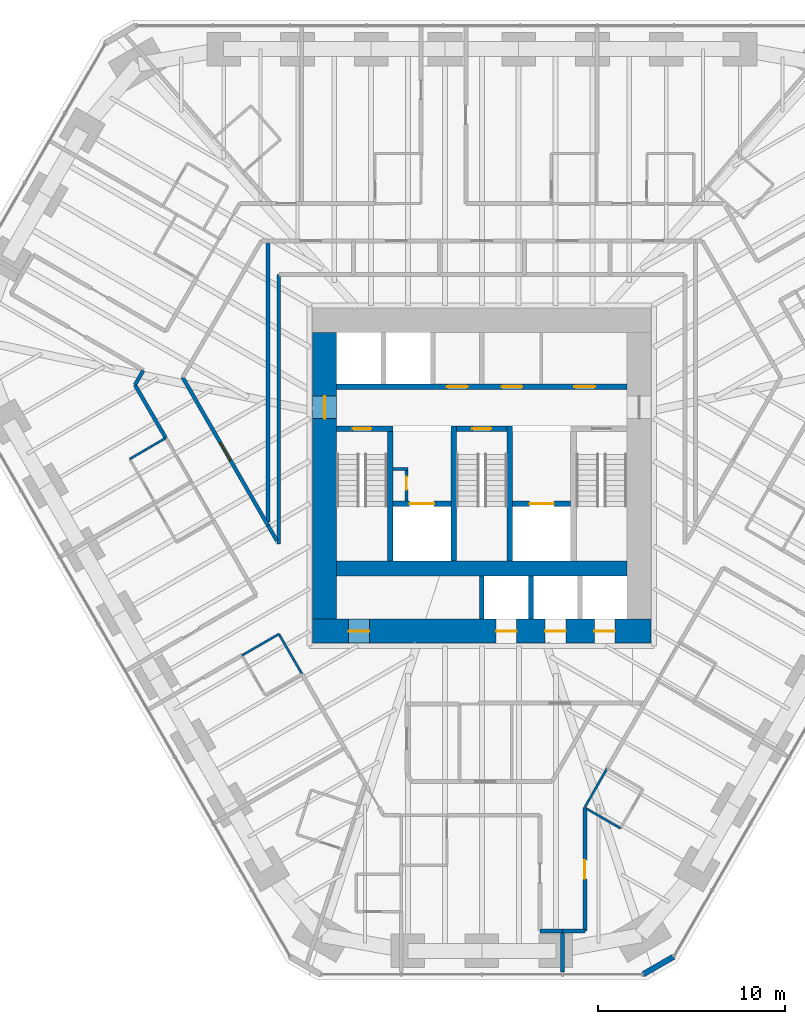
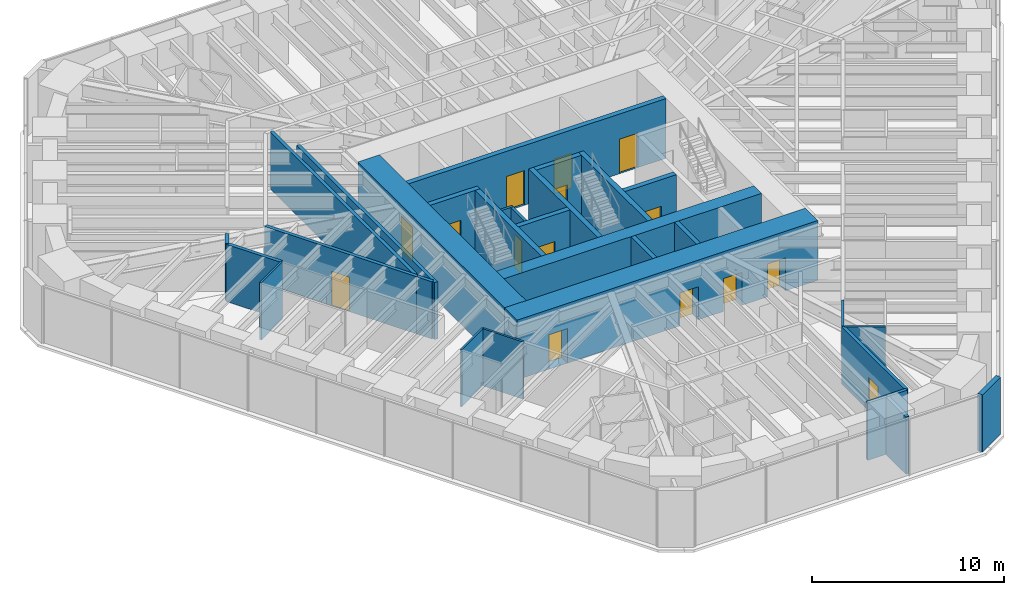
# One storey, part 12 of 17: 31 walls, 15 doors, 15 openings.
"""IFC4 building model written with IfcOpenShell, lengths in metres."""

import ifcopenshell
import ifcopenshell.guid

model = None  # the IFC model being written
_history = None  # IfcOwnerHistory: only IFC2X3 demands one
_inside = {}  # id of a spatial element -> (the spatial element, [elements in it])
_under = {}  # id of a project, library or spatial element -> (it, [spatial elements below it])
_declared = {}  # id of a project -> (the project, [libraries it declares])
_typed = {}  # id of a type object -> (the type object, [elements of that type])
_made_of = {}  # id of a material, layer set ... -> (it, [elements and type objects made of it])


def new_model(schema):
    """Start an empty IFC model of exactly this schema.

    Asked for "IFC4X3", IfcOpenShell would pick the latest addendum, in which some entities
    have other attributes; the version numbers below select the first issue.
    IFC2X3 requires an IfcOwnerHistory on every rooted entity: one is made here for all.
    """
    global model, _history
    if schema == "IFC4X3":
        model = ifcopenshell.file(schema_version=(4, 3, 0, 0))
    else:
        model = ifcopenshell.file(schema=schema)
    _inside.clear()
    _under.clear()
    _declared.clear()
    _typed.clear()
    _made_of.clear()
    _history = None
    if model.schema == "IFC2X3":
        org = make("IfcOrganization", Name="unknown")
        user = make(
            "IfcPersonAndOrganization",
            ThePerson=make("IfcPerson", FamilyName="unknown"),
            TheOrganization=org,
        )
        app = make(
            "IfcApplication",
            ApplicationDeveloper=org,
            Version="unknown",
            ApplicationFullName="unknown",
            ApplicationIdentifier="unknown",
        )
        _history = make(
            "IfcOwnerHistory",
            OwningUser=user,
            OwningApplication=app,
            ChangeAction="ADDED",
            CreationDate=0,
        )
    return model


def make(cls, **values):
    """One entity of the class cls with the attributes given. An attribute that is None is left unset."""
    return model.create_entity(
        cls, **{name: value for name, value in values.items() if value is not None}
    )


def rooted(cls, **values):
    """An entity with a GlobalId (a new one), such as an element, a storey or a relation."""
    return make(cls, GlobalId=ifcopenshell.guid.new(), OwnerHistory=_history, **values)


def si_unit(unit_type, name, prefix=None):
    """IfcSIUnit, for example si_unit("LENGTHUNIT", "METRE", prefix="MILLI")."""
    return make("IfcSIUnit", UnitType=unit_type, Prefix=prefix, Name=name)


def assignment(units):
    """IfcUnitAssignment: the units of a project."""
    return None if units is None else make("IfcUnitAssignment", Units=units)


def point(xyz):
    """IfcCartesianPoint."""
    return None if xyz is None else make("IfcCartesianPoint", Coordinates=xyz)


def direction(xyz):
    """IfcDirection."""
    return None if xyz is None else make("IfcDirection", DirectionRatios=xyz)


def frame(location, z_axis=None, x_axis=None):
    """IfcAxis2Placement3D, a coordinate frame: its origin and axes. An axis left out is left unset."""
    return make(
        "IfcAxis2Placement3D",
        Location=point(location),
        Axis=direction(z_axis),
        RefDirection=direction(x_axis),
    )


def frame_2d(location, x_axis=None):
    """IfcAxis2Placement2D, a coordinate frame in the plane: its origin and x axis."""
    return make(
        "IfcAxis2Placement2D", Location=point(location), RefDirection=direction(x_axis)
    )


def origin():
    """The frame at (0, 0, 0) with its axes left unset."""
    return frame((0.0, 0.0, 0.0))


def place(relative_to, where):
    """IfcLocalPlacement: puts the frame where relative to a parent placement (None: the world)."""
    return make(
        "IfcLocalPlacement", PlacementRelTo=relative_to, RelativePlacement=where
    )


def context(
    kind, dimensions, precision=None, world=None, true_north=None, identifier=None
):
    """IfcGeometricRepresentationContext, for example the 3D "Model" context."""
    return make(
        "IfcGeometricRepresentationContext",
        ContextIdentifier=identifier,
        ContextType=kind,
        CoordinateSpaceDimension=dimensions,
        Precision=precision,
        WorldCoordinateSystem=world,
        TrueNorth=true_north,
    )


def subcontext(parent, identifier, kind, view, scale=None):
    """IfcGeometricRepresentationSubContext, for example "Body" below "Model"."""
    return make(
        "IfcGeometricRepresentationSubContext",
        ContextIdentifier=identifier,
        ContextType=kind,
        ParentContext=parent,
        TargetScale=scale,
        TargetView=view,
    )


def project(units=None, contexts=None):
    """IfcProject with its units and contexts."""
    return rooted(
        "IfcProject",
        Name="project",
        RepresentationContexts=contexts,
        UnitsInContext=assignment(units),
    )


def spatial(cls, under=None, at=None, **own):
    """A site, building, storey or space (cls), placed at a placement, below another one or the project."""
    s = rooted(cls, ObjectPlacement=at, **own)
    if under is not None:
        _under.setdefault(under.id(), (under, []))[1].append(s)
    return s


def profile(cls, at=None, kind="AREA", **sizes):
    """A parametric profile (cls). Its sizes go by their IFC names, for example OverallWidth=200.0."""
    return make(cls, ProfileType=kind, Position=at, **sizes)


def rectangle(**sizes):
    """IfcRectangleProfileDef."""
    return profile("IfcRectangleProfileDef", **sizes)


def extrude(swept, where, along, depth):
    """IfcExtrudedAreaSolid: the profile swept, set in the frame where, extruded along a direction by depth."""
    return make(
        "IfcExtrudedAreaSolid",
        SweptArea=swept,
        Position=where,
        ExtrudedDirection=direction(along),
        Depth=depth,
    )


def shape(context_of_items, identifier, shape_type, items):
    """IfcShapeRepresentation: the items that make up one representation, for example the "Body"."""
    return make(
        "IfcShapeRepresentation",
        ContextOfItems=context_of_items,
        RepresentationIdentifier=identifier,
        RepresentationType=shape_type,
        Items=items,
    )


def material(Name=None, Category=None):
    """IfcMaterial."""
    return make("IfcMaterial", Name=Name, Category=Category)


def layer(
    of_material, thickness, ventilated=None, Name=None, Category=None, Priority=None
):
    """IfcMaterialLayer: one layer of a wall or slab, of a material (None: an air gap)."""
    return make(
        "IfcMaterialLayer",
        Material=of_material,
        LayerThickness=thickness,
        IsVentilated=ventilated,
        Name=Name,
        Category=Category,
        Priority=Priority,
    )


def layer_set(layers, Name=None):
    """IfcMaterialLayerSet."""
    return make("IfcMaterialLayerSet", MaterialLayers=layers, LayerSetName=Name)


def made_of(thing, what):
    """Note that an element or type object is made of a material, layer set ...; save() writes the relation."""
    if what is not None:
        _made_of.setdefault(what.id(), (what, []))[1].append(thing)
    return thing


def type_object(cls, material=None, **own):
    """A type object (cls), such as IfcWallType, which elements share."""
    return made_of(rooted(cls, **own), material)


def element(
    cls,
    number,
    at=None,
    inside=None,
    cuts=None,
    type_object=None,
    material=None,
    context=None,
    identifier="Body",
    shape_type=None,
    held_by="IfcProductDefinitionShape",
    body=None,
    shapes=None,
    **own,
):
    """One element of the class cls, such as IfcWall. Its Tag is "e" and its number.

    at: its placement. inside: the storey or other place that contains it. cuts: it is an
    opening in that element (IfcRelVoidsElement). A single representation is given by context,
    identifier, shape_type and body (its items); several are given by shapes. held_by: the class
    of the entity that holds the representations. save() writes the other relations.
    """
    e = rooted(cls, Tag="e%d" % number, ObjectPlacement=at, **own)
    if body is not None:
        shapes = [shape(context, identifier, shape_type, body)]
    if shapes is not None:
        e.Representation = make(held_by, Representations=shapes)
    if inside is not None:
        _inside.setdefault(inside.id(), (inside, []))[1].append(e)
    if cuts is not None:
        rooted(
            "IfcRelVoidsElement", RelatingBuildingElement=cuts, RelatedOpeningElement=e
        )
    if type_object is not None:
        _typed.setdefault(type_object.id(), (type_object, []))[1].append(e)
    return made_of(e, material)


def fill(opening, filler):
    """IfcRelFillsElement: the door or window that sits in an opening."""
    return rooted(
        "IfcRelFillsElement",
        RelatingOpeningElement=opening,
        RelatedBuildingElement=filler,
    )


def aggregate(whole, parts):
    """IfcRelAggregates: a whole, such as a stair, and the parts it consists of."""
    return rooted("IfcRelAggregates", RelatingObject=whole, RelatedObjects=parts)


def save(model, path):
    """Write the relations noted so far, then the file.

    IfcRelAggregates (storeys below a building ...), IfcRelContainedInSpatialStructure (elements
    in a storey), IfcRelDefinesByType, IfcRelAssociatesMaterial and IfcRelDeclares: one each for
    every whole, place, type object, material and project.
    """
    for whole, parts in _under.values():
        aggregate(whole, parts)
    for where, things in _inside.values():
        rooted(
            "IfcRelContainedInSpatialStructure",
            RelatedElements=things,
            RelatingStructure=where,
        )
    for kind, things in _typed.values():
        rooted("IfcRelDefinesByType", RelatedObjects=things, RelatingType=kind)
    for what, things in _made_of.values():
        rooted("IfcRelAssociatesMaterial", RelatedObjects=things, RelatingMaterial=what)
    for by, libraries in _declared.values():
        rooted("IfcRelDeclares", RelatingContext=by, RelatedDefinitions=libraries)
    model.write(path)


model = new_model("IFC4")

# Units and contexts
model_context = context("Model", 3, precision=1e-05, world=origin(), true_north=direction((0.0, 1.0)))
body_context = subcontext(model_context, "Body", "Model", "MODEL_VIEW")
ifc_project = project(units=[si_unit("LENGTHUNIT", "METRE"), si_unit("AREAUNIT", "SQUARE_METRE"), si_unit("VOLUMEUNIT", "CUBIC_METRE"), si_unit("PLANEANGLEUNIT", "RADIAN"), si_unit("MASSUNIT", "GRAM", prefix="KILO")], contexts=[model_context])

# Site, building, storey
site_placement = place(None, origin())
site = spatial("IfcSite", under=ifc_project, at=site_placement, CompositionType="ELEMENT")
building_placement = place(site_placement, origin())
building = spatial("IfcBuilding", under=site, at=building_placement, Name="Sandreach Pilgrim Tower", CompositionType="ELEMENT")
storey_placement = place(building_placement, frame((0.0, 0.0, 119.60009765625)))
storey = spatial("IfcBuildingStorey", under=building, at=storey_placement, Name="L29", CompositionType="ELEMENT", Elevation=119.60009765625)

# Walls
ifc_material_1 = material(Name="Moisture-resistant gypsum board on steel studs", Category="steel")
ifc_layer_1 = layer(ifc_material_1, 0.1201171875)
ifc_layer_set_1 = layer_set([ifc_layer_1], Name="Bathroom partition 120")
wall_type_1 = type_object("IfcWallType", Name="Bathroom partition 120", PredefinedType="PARTITIONING", material=ifc_layer_set_1)
wall_1_placement = place(storey_placement, frame((-16.889892578125, 0.4599609375, 0.0), z_axis=(0.0, 0.0, 1.0), x_axis=(-0.863822716314, -0.503795905878, 0.0)))
element("IfcWall", 1, at=wall_1_placement, inside=storey, type_object=wall_type_1, Name="Bathroom partition L29-016", PredefinedType="PARTITIONING", context=body_context, shape_type="SweptSolid", body=[
    extrude(rectangle(XDim=2.222900390625, YDim=0.1201171875, at=frame_2d((1.111328125, 0.0))), origin(), (0.0, 0.0, 1.0), 3.639892578125),
])
wall_2_placement = place(storey_placement, frame((-12.81005859375, -11.14990234375, 0.0), z_axis=(0.0, 0.0, 1.0), x_axis=(0.865543766642, 0.500833293649, 0.0)))
element("IfcWall", 2, at=wall_2_placement, inside=storey, type_object=wall_type_1, Name="Bathroom partition L29-035", PredefinedType="PARTITIONING", context=body_context, shape_type="SweptSolid", body=[
    extrude(rectangle(XDim=2.27587890625, YDim=0.1201171875, at=frame_2d((1.137939453125, 0.0))), origin(), (0.0, 0.0, 1.0), 3.639892578125),
])
wall_3_placement = place(storey_placement, frame((-10.840087890625, -10.010009765625, 0.0), z_axis=(0.0, 0.0, 1.0), x_axis=(0.500089055364, -0.86597398154, 0.0)))
element("IfcWall", 3, at=wall_3_placement, inside=storey, type_object=wall_type_1, Name="Bathroom partition L29-048", PredefinedType="PARTITIONING", context=body_context, shape_type="SweptSolid", body=[
    extrude(rectangle(XDim=2.45947265625, YDim=0.1201171875, at=frame_2d((1.229736328125, 0.0))), origin(), (0.0, 0.0, 1.0), 3.639892578125),
])
wall_4_placement = place(storey_placement, frame((5.510009765625, -19.25, 0.0), z_axis=(0.0, 0.0, 1.0), x_axis=(0.498837591974, 0.866695481028, 0.0)))
element("IfcWall", 4, at=wall_4_placement, inside=storey, type_object=wall_type_1, Name="Bathroom partition L29-105", PredefinedType="PARTITIONING", context=body_context, shape_type="SweptSolid", body=[
    extrude(rectangle(XDim=2.365478515625, YDim=0.1201171875, at=frame_2d((1.1826171875, 0.0))), origin(), (0.0, 0.0, 1.0), 3.639892578125),
])
wall_5_placement = place(storey_placement, frame((5.566162109375, -19.322509765625, 0.0), z_axis=(0.0, 0.0, 1.0), x_axis=(0.865436746432, -0.501018201192, 0.0)))
element("IfcWall", 5, at=wall_5_placement, inside=storey, type_object=wall_type_1, Name="Bathroom partition L29-106", PredefinedType="PARTITIONING", context=body_context, shape_type="SweptSolid", body=[
    extrude(rectangle(XDim=2.13037109375, YDim=0.1201171875, at=frame_2d((1.065185546875, 0.0))), origin(), (0.0, 0.0, 1.0), 3.639892578125),
])
ifc_material_2 = material(Name="Concrete 10000 psi", Category="concrete")
ifc_layer_2 = layer(ifc_material_2, 0.300048828125)
ifc_layer_set_2 = layer_set([ifc_layer_2], Name="Core inner wall 300")
wall_type_2 = type_object("IfcWallType", Name="Core inner wall 300", PredefinedType="SHEAR", material=ifc_layer_set_2)
for number, where, z_axis, x_axis, name in (
    (6, (-4.89990234375, -6.10009765625, 0.0), (0.0, 0.0, 1.0), (0.0, 1.0, 0.0), "Core wall I0 L29"),
    (7, (-1.5, -6.10009765625, 0.0), (0.0, 0.0, 1.0), (0.0, 1.0, 0.0), "Core wall I1 L29"),
    (8, (1.5, -6.10009765625, 0.0), (0.0, 0.0, 1.0), (0.0, 1.0, 0.0), "Core wall I2 L29"),
):
    element("IfcWall", number, at=place(storey_placement, frame(where, z_axis=z_axis, x_axis=x_axis)), inside=storey, type_object=wall_type_2, Name=name, PredefinedType="SHEAR", context=body_context, shape_type="SweptSolid", body=[
        extrude(rectangle(XDim=7.2001953125, YDim=0.300048828125, at=frame_2d((3.60009765625, 0.0))), origin(), (0.0, 0.0, 1.0), 3.7998046875),
    ])

# Wall, opening, door
wall_6_placement = place(storey_placement, frame((-7.75, 0.949951171875, 0.0), z_axis=(0.0, 0.0, 1.0), x_axis=(1.0, 0.0, 0.0)))
wall_6 = element("IfcWall", 9, at=wall_6_placement, inside=storey, type_object=wall_type_2, Name="Core wall SN1 L29", PredefinedType="SHEAR", context=body_context, shape_type="SweptSolid", body=[
    extrude(rectangle(XDim=3.0, YDim=0.300048828125, at=frame_2d((1.5, 0.0))), origin(), (0.0, 0.0, 1.0), 3.7998046875),
])
opening_1_placement = place(wall_6_placement, frame((0.85009765625, 0.0, 0.0)))
opening_1 = element("IfcOpeningElement", 10, at=opening_1_placement, cuts=wall_6, Name="Opening D10S-ST1", PredefinedType="OPENING", context=body_context, shape_type="SweptSolid", body=[
    extrude(rectangle(XDim=1.0, YDim=2.199951171875, at=frame_2d((0.5, 1.10009765625))), frame((0.0, 0.14990234375, 0.0), z_axis=(0.0, -1.0, 0.0), x_axis=(1.0, 0.0, 0.0)), (0.0, 0.0, 1.0), 0.300048828125),
])
ifc_material_3 = material(Name="Steel door and frame", Category="steel")
door_type_1 = type_object("IfcDoorType", Name="Stair door", OperationType="SINGLE_SWING_LEFT", PredefinedType="DOOR", material=ifc_material_3)
door_1_placement = place(opening_1_placement, origin())
door_1 = element("IfcDoor", 11, at=door_1_placement, inside=storey, type_object=door_type_1, Name="Stair door ST1 L29", OperationType="SINGLE_SWING_LEFT", OverallHeight=2.199951171875, OverallWidth=1.0, PredefinedType="DOOR", context=body_context, shape_type="SweptSolid", body=[
    extrude(rectangle(XDim=1.0, YDim=2.199951171875, at=frame_2d((0.5, 1.10009765625))), frame((0.0, 0.02490234375, 0.0), z_axis=(0.0, -1.0, 0.0), x_axis=(1.0, 0.0, 0.0)), (0.0, 0.0, 1.0), 0.050048828125),
])
fill(opening_1, door_1)

wall_7_placement = place(storey_placement, frame((-1.35009765625, 0.949951171875, 0.0), z_axis=(0.0, 0.0, 1.0), x_axis=(1.0, 0.0, 0.0)))
wall_7 = element("IfcWall", 12, at=wall_7_placement, inside=storey, type_object=wall_type_2, Name="Core wall SN3 L29", PredefinedType="SHEAR", context=body_context, shape_type="SweptSolid", body=[
    extrude(rectangle(XDim=2.7001953125, YDim=0.300048828125, at=frame_2d((1.35009765625, 0.0))), origin(), (0.0, 0.0, 1.0), 3.7998046875),
])
opening_2_placement = place(wall_7_placement, frame((0.85009765625, 0.0, 0.0)))
opening_2 = element("IfcOpeningElement", 13, at=opening_2_placement, cuts=wall_7, Name="Opening D10S-ST3", PredefinedType="OPENING", context=body_context, shape_type="SweptSolid", body=[
    extrude(rectangle(XDim=1.0, YDim=2.199951171875, at=frame_2d((0.5, 1.10009765625))), frame((0.0, 0.14990234375, 0.0), z_axis=(0.0, -1.0, 0.0), x_axis=(1.0, 0.0, 0.0)), (0.0, 0.0, 1.0), 0.300048828125),
])
door_2_placement = place(opening_2_placement, origin())
door_2 = element("IfcDoor", 14, at=door_2_placement, inside=storey, type_object=door_type_1, Name="Stair door ST3 L29", OperationType="SINGLE_SWING_LEFT", OverallHeight=2.199951171875, OverallWidth=1.0, PredefinedType="DOOR", context=body_context, shape_type="SweptSolid", body=[
    extrude(rectangle(XDim=1.0, YDim=2.199951171875, at=frame_2d((0.5, 1.10009765625))), frame((0.0, 0.02490234375, 0.0), z_axis=(0.0, -1.0, 0.0), x_axis=(1.0, 0.0, 0.0)), (0.0, 0.0, 1.0), 0.050048828125),
])
fill(opening_2, door_2)

wall_8_placement = place(storey_placement, frame((-4.75, -3.050048828125, 0.0), z_axis=(0.0, 0.0, 1.0), x_axis=(1.0, 0.0, 0.0)))
wall_8 = element("IfcWall", 15, at=wall_8_placement, inside=storey, type_object=wall_type_2, Name="Core wall FL1 L29", PredefinedType="SHEAR", context=body_context, shape_type="SweptSolid", body=[
    extrude(rectangle(XDim=3.10009765625, YDim=0.300048828125, at=frame_2d((1.550048828125, 0.0))), origin(), (0.0, 0.0, 1.0), 3.7998046875),
])
opening_3_placement = place(wall_8_placement, frame((0.89990234375, 0.0, 0.0)))
opening_3 = element("IfcOpeningElement", 16, at=opening_3_placement, cuts=wall_8, Name="Opening LD13", PredefinedType="OPENING", context=body_context, shape_type="SweptSolid", body=[
    extrude(rectangle(XDim=1.300048828125, YDim=2.10009765625, at=frame_2d((0.64990234375, 1.050048828125))), frame((0.0, 0.14990234375, 0.0), z_axis=(0.0, -1.0, 0.0), x_axis=(1.0, 0.0, 0.0)), (0.0, 0.0, 1.0), 0.300048828125),
])
ifc_material_4 = material(Name="Steel door and frame", Category="steel")
door_type_2 = type_object("IfcDoorType", Name="Fire service lift landing door", OperationType="DOUBLE_DOOR_SLIDING", PredefinedType="DOOR", material=ifc_material_4)
door_3_placement = place(opening_3_placement, origin())
door_3 = element("IfcDoor", 17, at=door_3_placement, inside=storey, type_object=door_type_2, Name="Lift landing door FS1 L29", OperationType="DOUBLE_DOOR_SLIDING", OverallHeight=2.10009765625, OverallWidth=1.300048828125, PredefinedType="DOOR", context=body_context, shape_type="SweptSolid", body=[
    extrude(rectangle(XDim=1.300048828125, YDim=2.10009765625, at=frame_2d((0.64990234375, 1.050048828125))), frame((0.0, 0.02490234375, 0.0), z_axis=(0.0, -1.0, 0.0), x_axis=(1.0, 0.0, 0.0)), (0.0, 0.0, 1.0), 0.050048828125),
])
fill(opening_3, door_3)

wall_9_placement = place(storey_placement, frame((1.64990234375, -3.050048828125, 0.0), z_axis=(0.0, 0.0, 1.0), x_axis=(1.0, 0.0, 0.0)))
wall_9 = element("IfcWall", 18, at=wall_9_placement, inside=storey, type_object=wall_type_2, Name="Core wall FL2 L29", PredefinedType="SHEAR", context=body_context, shape_type="SweptSolid", body=[
    extrude(rectangle(XDim=3.10009765625, YDim=0.300048828125, at=frame_2d((1.550048828125, 0.0))), origin(), (0.0, 0.0, 1.0), 3.7998046875),
])
opening_4_placement = place(wall_9_placement, frame((0.89990234375, 0.0, 0.0)))
opening_4 = element("IfcOpeningElement", 19, at=opening_4_placement, cuts=wall_9, Name="Opening LD13", PredefinedType="OPENING", context=body_context, shape_type="SweptSolid", body=[
    extrude(rectangle(XDim=1.300048828125, YDim=2.10009765625, at=frame_2d((0.64990234375, 1.050048828125))), frame((0.0, 0.14990234375, 0.0), z_axis=(0.0, -1.0, 0.0), x_axis=(1.0, 0.0, 0.0)), (0.0, 0.0, 1.0), 0.300048828125),
])
door_4_placement = place(opening_4_placement, origin())
door_4 = element("IfcDoor", 20, at=door_4_placement, inside=storey, type_object=door_type_2, Name="Lift landing door FS2 L29", OperationType="DOUBLE_DOOR_SLIDING", OverallHeight=2.10009765625, OverallWidth=1.300048828125, PredefinedType="DOOR", context=body_context, shape_type="SweptSolid", body=[
    extrude(rectangle(XDim=1.300048828125, YDim=2.10009765625, at=frame_2d((0.64990234375, 1.050048828125))), frame((0.0, 0.02490234375, 0.0), z_axis=(0.0, -1.0, 0.0), x_axis=(1.0, 0.0, 0.0)), (0.0, 0.0, 1.0), 0.050048828125),
])
fill(opening_4, door_4)

# Wall, openings, doors
wall_10_placement = place(storey_placement, frame((-7.75, 3.199951171875, 0.0), z_axis=(0.0, 0.0, 1.0), x_axis=(1.0, 0.0, 0.0)))
wall_10 = element("IfcWall", 21, at=wall_10_placement, inside=storey, type_object=wall_type_2, Name="Core wall PN L29", PredefinedType="SHEAR", context=body_context, shape_type="SweptSolid", body=[
    extrude(rectangle(XDim=15.5, YDim=0.300048828125, at=frame_2d((7.75, 0.0))), origin(), (0.0, 0.0, 1.0), 3.7998046875),
])
opening_5_placement = place(wall_10_placement, frame((5.887451171875, 0.0, 0.0)))
opening_5 = element("IfcOpeningElement", 22, at=opening_5_placement, cuts=wall_10, Name="Opening D11L", PredefinedType="OPENING", context=body_context, shape_type="SweptSolid", body=[
    extrude(rectangle(XDim=1.10009765625, YDim=2.199951171875, at=frame_2d((0.550048828125, 1.10009765625))), frame((0.0, 0.14990234375, 0.0), z_axis=(0.0, -1.0, 0.0), x_axis=(1.0, 0.0, 0.0)), (0.0, 0.0, 1.0), 0.300048828125),
])
opening_6_placement = place(wall_10_placement, frame((8.8125, 0.0, 0.0)))
opening_6 = element("IfcOpeningElement", 23, at=opening_6_placement, cuts=wall_10, Name="Opening D11L", PredefinedType="OPENING", context=body_context, shape_type="SweptSolid", body=[
    extrude(rectangle(XDim=1.10009765625, YDim=2.199951171875, at=frame_2d((0.550048828125, 1.10009765625))), frame((0.0, 0.14990234375, 0.0), z_axis=(0.0, -1.0, 0.0), x_axis=(1.0, 0.0, 0.0)), (0.0, 0.0, 1.0), 0.300048828125),
])
opening_7_placement = place(wall_10_placement, frame((12.699951171875, 0.0, 0.0)))
opening_7 = element("IfcOpeningElement", 24, at=opening_7_placement, cuts=wall_10, Name="Opening D11L", PredefinedType="OPENING", context=body_context, shape_type="SweptSolid", body=[
    extrude(rectangle(XDim=1.10009765625, YDim=2.199951171875, at=frame_2d((0.550048828125, 1.10009765625))), frame((0.0, 0.14990234375, 0.0), z_axis=(0.0, -1.0, 0.0), x_axis=(1.0, 0.0, 0.0)), (0.0, 0.0, 1.0), 0.300048828125),
])
ifc_material_5 = material(Name="Steel door and frame, smoke seals", Category="steel")
door_type_3 = type_object("IfcDoorType", Name="Core room door", OperationType="SINGLE_SWING_LEFT", PredefinedType="DOOR", material=ifc_material_5)
door_5_placement = place(opening_5_placement, origin())
door_5 = element("IfcDoor", 25, at=door_5_placement, inside=storey, type_object=door_type_3, Name="Door vending and ice room 29K1", OperationType="SINGLE_SWING_LEFT", OverallHeight=2.199951171875, OverallWidth=1.10009765625, PredefinedType="DOOR", context=body_context, shape_type="SweptSolid", body=[
    extrude(rectangle(XDim=1.10009765625, YDim=2.199951171875, at=frame_2d((0.550048828125, 1.10009765625))), frame((0.0, 0.02490234375, 0.0), z_axis=(0.0, -1.0, 0.0), x_axis=(1.0, 0.0, 0.0)), (0.0, 0.0, 1.0), 0.050048828125),
])
fill(opening_5, door_5)
door_6_placement = place(opening_6_placement, origin())
door_6 = element("IfcDoor", 26, at=door_6_placement, inside=storey, type_object=door_type_3, Name="Door linen store 29K2", OperationType="SINGLE_SWING_RIGHT", OverallHeight=2.199951171875, OverallWidth=1.10009765625, PredefinedType="DOOR", context=body_context, shape_type="SweptSolid", body=[
    extrude(rectangle(XDim=1.10009765625, YDim=2.199951171875, at=frame_2d((0.550048828125, 1.10009765625))), frame((0.0, 0.02490234375, 0.0), z_axis=(0.0, -1.0, 0.0), x_axis=(1.0, 0.0, 0.0)), (0.0, 0.0, 1.0), 0.050048828125),
])
fill(opening_6, door_6)
door_7_placement = place(opening_7_placement, origin())
door_7 = element("IfcDoor", 27, at=door_7_placement, inside=storey, type_object=door_type_3, Name="Door cleaners store 29K3", OperationType="SINGLE_SWING_RIGHT", OverallHeight=2.199951171875, OverallWidth=1.10009765625, PredefinedType="DOOR", context=body_context, shape_type="SweptSolid", body=[
    extrude(rectangle(XDim=1.10009765625, YDim=2.199951171875, at=frame_2d((0.550048828125, 1.10009765625))), frame((0.0, 0.02490234375, 0.0), z_axis=(0.0, -1.0, 0.0), x_axis=(1.0, 0.0, 0.0)), (0.0, 0.0, 1.0), 0.050048828125),
])
fill(opening_7, door_7)

# Wall
ifc_material_6 = material(Name="Concrete 10000 psi", Category="concrete")
ifc_layer_3 = layer(ifc_material_6, 0.800048828125)
ifc_layer_set_3 = layer_set([ifc_layer_3], Name="Core mid wall 800")
wall_type_3 = type_object("IfcWallType", Name="Core mid wall 800", PredefinedType="SHEAR", material=ifc_layer_set_3)
wall_11_placement = place(storey_placement, frame((-7.75, -6.5, 0.0), z_axis=(0.0, 0.0, 1.0), x_axis=(1.0, 0.0, 0.0)))
element("IfcWall", 28, at=wall_11_placement, inside=storey, type_object=wall_type_3, Name="Core wall M L29", PredefinedType="SHEAR", context=body_context, shape_type="SweptSolid", body=[
    extrude(rectangle(XDim=15.5, YDim=0.800048828125, at=frame_2d((7.75, 0.0))), origin(), (0.0, 0.0, 1.0), 3.7998046875),
])

# Wall, openings, doors
ifc_material_7 = material(Name="Concrete 10000 psi", Category="concrete")
ifc_layer_4 = layer(ifc_material_7, 1.300048828125)
ifc_layer_set_4 = layer_set([ifc_layer_4], Name="Core wall 1300")
wall_type_4 = type_object("IfcWallType", Name="Core wall 1300", PredefinedType="SHEAR", material=ifc_layer_set_4)
wall_12_placement = place(storey_placement, frame((-9.050048828125, -9.85009765625, 0.0), z_axis=(0.0, 0.0, 1.0), x_axis=(1.0, 0.0, 0.0)))
wall_12 = element("IfcWall", 29, at=wall_12_placement, inside=storey, type_object=wall_type_4, Name="Core wall S L29", PredefinedType="SHEAR", context=body_context, shape_type="SweptSolid", body=[
    extrude(rectangle(XDim=18.10009765625, YDim=1.300048828125, at=frame_2d((9.050048828125, 0.0))), origin(), (0.0, 0.0, 1.0), 3.7998046875),
])
opening_8_placement = place(wall_12_placement, frame((1.9375, 0.0, 0.0)))
opening_8 = element("IfcOpeningElement", 30, at=opening_8_placement, cuts=wall_12, Name="Opening D11H", PredefinedType="OPENING", context=body_context, shape_type="SweptSolid", body=[
    extrude(rectangle(XDim=1.10009765625, YDim=2.199951171875, at=frame_2d((0.550048828125, 1.10009765625))), frame((0.0, 0.64990234375, 0.0), z_axis=(0.0, -1.0, 0.0), x_axis=(1.0, 0.0, 0.0)), (0.0, 0.0, 1.0), 1.300048828125),
])
opening_9_placement = place(wall_12_placement, frame((9.8125, 0.0, 0.0)))
opening_9 = element("IfcOpeningElement", 31, at=opening_9_placement, cuts=wall_12, Name="Opening LD11", PredefinedType="OPENING", context=body_context, shape_type="SweptSolid", body=[
    extrude(rectangle(XDim=1.10009765625, YDim=2.10009765625, at=frame_2d((0.550048828125, 1.050048828125))), frame((0.0, 0.64990234375, 0.0), z_axis=(0.0, -1.0, 0.0), x_axis=(1.0, 0.0, 0.0)), (0.0, 0.0, 1.0), 1.300048828125),
])
opening_10_placement = place(wall_12_placement, frame((12.4375, 0.0, 0.0)))
opening_10 = element("IfcOpeningElement", 32, at=opening_10_placement, cuts=wall_12, Name="Opening LD11", PredefinedType="OPENING", context=body_context, shape_type="SweptSolid", body=[
    extrude(rectangle(XDim=1.10009765625, YDim=2.10009765625, at=frame_2d((0.550048828125, 1.050048828125))), frame((0.0, 0.64990234375, 0.0), z_axis=(0.0, -1.0, 0.0), x_axis=(1.0, 0.0, 0.0)), (0.0, 0.0, 1.0), 1.300048828125),
])
opening_11_placement = place(wall_12_placement, frame((15.0625, 0.0, 0.0)))
opening_11 = element("IfcOpeningElement", 33, at=opening_11_placement, cuts=wall_12, Name="Opening LD11", PredefinedType="OPENING", context=body_context, shape_type="SweptSolid", body=[
    extrude(rectangle(XDim=1.10009765625, YDim=2.10009765625, at=frame_2d((0.550048828125, 1.050048828125))), frame((0.0, 0.64990234375, 0.0), z_axis=(0.0, -1.0, 0.0), x_axis=(1.0, 0.0, 0.0)), (0.0, 0.0, 1.0), 1.300048828125),
])
ifc_material_8 = material(Name="Steel door and frame", Category="steel")
door_type_4 = type_object("IfcDoorType", Name="Back of house door", OperationType="SINGLE_SWING_LEFT", PredefinedType="DOOR", material=ifc_material_8)
door_8_placement = place(opening_8_placement, origin())
door_8 = element("IfcDoor", 34, at=door_8_placement, inside=storey, type_object=door_type_4, Name="Door staff room 29K4", OperationType="SINGLE_SWING_LEFT", OverallHeight=2.199951171875, OverallWidth=1.10009765625, PredefinedType="DOOR", context=body_context, shape_type="SweptSolid", body=[
    extrude(rectangle(XDim=1.10009765625, YDim=2.199951171875, at=frame_2d((0.550048828125, 1.10009765625))), frame((0.0, 0.02490234375, 0.0), z_axis=(0.0, -1.0, 0.0), x_axis=(1.0, 0.0, 0.0)), (0.0, 0.0, 1.0), 0.050048828125),
])
fill(opening_8, door_8)
ifc_material_9 = material(Name="Steel door and frame", Category="steel")
door_type_5 = type_object("IfcDoorType", Name="Lift landing door", OperationType="DOUBLE_DOOR_SLIDING", PredefinedType="DOOR", material=ifc_material_9)
door_9_placement = place(opening_9_placement, origin())
door_9 = element("IfcDoor", 35, at=door_9_placement, inside=storey, type_object=door_type_5, Name="Lift landing door Z2A L29", OperationType="DOUBLE_DOOR_SLIDING", OverallHeight=2.10009765625, OverallWidth=1.10009765625, PredefinedType="DOOR", context=body_context, shape_type="SweptSolid", body=[
    extrude(rectangle(XDim=1.10009765625, YDim=2.10009765625, at=frame_2d((0.550048828125, 1.050048828125))), frame((0.0, 0.02490234375, 0.0), z_axis=(0.0, -1.0, 0.0), x_axis=(1.0, 0.0, 0.0)), (0.0, 0.0, 1.0), 0.050048828125),
])
fill(opening_9, door_9)
door_10_placement = place(opening_10_placement, origin())
door_10 = element("IfcDoor", 36, at=door_10_placement, inside=storey, type_object=door_type_5, Name="Lift landing door Z2B L29", OperationType="DOUBLE_DOOR_SLIDING", OverallHeight=2.10009765625, OverallWidth=1.10009765625, PredefinedType="DOOR", context=body_context, shape_type="SweptSolid", body=[
    extrude(rectangle(XDim=1.10009765625, YDim=2.10009765625, at=frame_2d((0.550048828125, 1.050048828125))), frame((0.0, 0.02490234375, 0.0), z_axis=(0.0, -1.0, 0.0), x_axis=(1.0, 0.0, 0.0)), (0.0, 0.0, 1.0), 0.050048828125),
])
fill(opening_10, door_10)
door_11_placement = place(opening_11_placement, origin())
door_11 = element("IfcDoor", 37, at=door_11_placement, inside=storey, type_object=door_type_5, Name="Lift landing door Z2C L29", OperationType="DOUBLE_DOOR_SLIDING", OverallHeight=2.10009765625, OverallWidth=1.10009765625, PredefinedType="DOOR", context=body_context, shape_type="SweptSolid", body=[
    extrude(rectangle(XDim=1.10009765625, YDim=2.10009765625, at=frame_2d((0.550048828125, 1.050048828125))), frame((0.0, 0.02490234375, 0.0), z_axis=(0.0, -1.0, 0.0), x_axis=(1.0, 0.0, 0.0)), (0.0, 0.0, 1.0), 0.050048828125),
])
fill(opening_11, door_11)

# Wall, opening, door
wall_13_placement = place(storey_placement, frame((-8.39990234375, -9.199951171875, 0.0), z_axis=(0.0, 0.0, 1.0), x_axis=(0.0, 1.0, 0.0)))
wall_13 = element("IfcWall", 38, at=wall_13_placement, inside=storey, type_object=wall_type_4, Name="Core wall W L29", PredefinedType="SHEAR", context=body_context, shape_type="SweptSolid", body=[
    extrude(rectangle(XDim=15.300048828125, YDim=1.300048828125, at=frame_2d((7.64990234375, 0.0))), origin(), (0.0, 0.0, 1.0), 3.7998046875),
])
opening_12_placement = place(wall_13_placement, frame((10.699951171875, 0.0, 0.0)))
opening_12 = element("IfcOpeningElement", 39, at=opening_12_placement, cuts=wall_13, Name="Opening D12F-W", PredefinedType="OPENING", context=body_context, shape_type="SweptSolid", body=[
    extrude(rectangle(XDim=1.199951171875, YDim=2.199951171875, at=frame_2d((0.60009765625, 1.10009765625))), frame((0.0, 0.64990234375, 0.0), z_axis=(0.0, -1.0, 0.0), x_axis=(1.0, 0.0, 0.0)), (0.0, 0.0, 1.0), 1.300048828125),
])
ifc_material_10 = material(Name="Steel door and frame", Category="steel")
door_type_6 = type_object("IfcDoorType", Name="Fire lobby door", OperationType="SINGLE_SWING_LEFT", PredefinedType="DOOR", material=ifc_material_10)
door_12_placement = place(opening_12_placement, origin())
door_12 = element("IfcDoor", 40, at=door_12_placement, inside=storey, type_object=door_type_6, Name="Fire service lobby door W L29", OperationType="SINGLE_SWING_RIGHT", OverallHeight=2.199951171875, OverallWidth=1.199951171875, PredefinedType="DOOR", context=body_context, shape_type="SweptSolid", body=[
    extrude(rectangle(XDim=1.199951171875, YDim=2.199951171875, at=frame_2d((0.60009765625, 1.10009765625))), frame((0.0, 0.02490234375, 0.0), z_axis=(0.0, -1.0, 0.0), x_axis=(1.0, 0.0, 0.0)), (0.0, 0.0, 1.0), 0.050048828125),
])
fill(opening_12, door_12)

# Walls
ifc_material_11 = material(Name="Gypsum board on steel studs, two layers each side", Category="steel")
ifc_layer_5 = layer(ifc_material_11, 0.199951171875)
ifc_layer_set_5 = layer_set([ifc_layer_5], Name="Corridor wall 200")
wall_type_5 = type_object("IfcWallType", Name="Corridor wall 200", PredefinedType="PARTITIONING", material=ifc_layer_set_5)
wall_14_placement = place(storey_placement, frame((-18.530029296875, 3.300048828125, 0.0), z_axis=(0.0, 0.0, 1.0), x_axis=(0.502321995867, -0.864680641895, 0.0)))
element("IfcWall", 41, at=wall_14_placement, inside=storey, type_object=wall_type_5, Name="Corridor wall L29-008", PredefinedType="PARTITIONING", context=body_context, shape_type="SweptSolid", body=[
    extrude(rectangle(XDim=3.28466796875, YDim=0.199951171875, at=frame_2d((1.642333984375, 0.0))), origin(), (0.0, 0.0, 1.0), 3.639892578125),
])
wall_15_placement = place(storey_placement, frame((-18.08740234375, 4.06689453125, 0.0), z_axis=(0.0, 0.0, 1.0), x_axis=(-0.499905448813, -0.866079986056, 0.0)))
element("IfcWall", 42, at=wall_15_placement, inside=storey, type_object=wall_type_5, Name="Corridor wall L29-009", PredefinedType="PARTITIONING", context=body_context, shape_type="SweptSolid", body=[
    extrude(rectangle(XDim=0.885498046875, YDim=0.199951171875, at=frame_2d((0.44287109375, 0.0))), origin(), (0.0, 0.0, 1.0), 3.639892578125),
])

# Wall, opening, door
wall_16_placement = place(storey_placement, frame((-11.419921875, -4.2099609375, 0.0), z_axis=(0.0, 0.0, 1.0), x_axis=(-0.499446957289, 0.866344467781, 0.0)))
wall_16 = element("IfcWall", 43, at=wall_16_placement, inside=storey, type_object=wall_type_5, Name="Corridor wall L29-042", PredefinedType="PARTITIONING", context=body_context, shape_type="SweptSolid", body=[
    extrude(rectangle(XDim=9.130126953125, YDim=0.199951171875, at=frame_2d((4.56494140625, 0.0))), origin(), (0.0, 0.0, 1.0), 3.639892578125),
])
opening_13_placement = place(wall_16_placement, frame((4.01513671875, 0.0, 0.0)))
opening_13 = element("IfcOpeningElement", 44, at=opening_13_placement, cuts=wall_16, Name="Opening D11H-M01", PredefinedType="OPENING", context=body_context, shape_type="SweptSolid", body=[
    extrude(rectangle(XDim=1.10009765625, YDim=2.199951171875, at=frame_2d((0.550048828125, 1.10009765625))), frame((0.0, 0.10009765625, 0.0), z_axis=(0.0, -1.0, 0.0), x_axis=(1.0, 0.0, 0.0)), (0.0, 0.0, 1.0), 0.199951171875),
])
door_13_placement = place(opening_13_placement, origin())
door_13 = element("IfcDoor", 45, at=door_13_placement, inside=storey, type_object=door_type_4, Name="Door 29M01", OperationType="SINGLE_SWING_LEFT", OverallHeight=2.199951171875, OverallWidth=1.10009765625, PredefinedType="DOOR", context=body_context, shape_type="SweptSolid", body=[
    extrude(rectangle(XDim=1.10009765625, YDim=2.199951171875, at=frame_2d((0.550048828125, 1.10009765625))), frame((0.0, 0.02490234375, 0.0), z_axis=(0.0, -1.0, 0.0), x_axis=(1.0, 0.0, 0.0)), (0.0, 0.0, 1.0), 0.050048828125),
])
fill(opening_13, door_13)

# Walls
wall_17_placement = place(storey_placement, frame((-10.947998046875, -5.021484375, 0.0), z_axis=(0.0, 0.0, 1.0), x_axis=(-0.502706337432, 0.86445725071, 0.0)))
element("IfcWall", 46, at=wall_17_placement, inside=storey, type_object=wall_type_5, Name="Corridor wall L29-046", PredefinedType="PARTITIONING", context=body_context, shape_type="SweptSolid", body=[
    extrude(rectangle(XDim=0.938720703125, YDim=0.199951171875, at=frame_2d((0.46923828125, 0.0))), origin(), (0.0, 0.0, 1.0), 3.639892578125),
])
wall_18_placement = place(storey_placement, frame((-10.85009765625, 9.199951171875, 0.0), z_axis=(0.0, 0.0, 1.0), x_axis=(0.0, -1.0, 0.0)))
element("IfcWall", 47, at=wall_18_placement, inside=storey, type_object=wall_type_5, Name="Corridor wall L29-047", PredefinedType="PARTITIONING", context=body_context, shape_type="SweptSolid", body=[
    extrude(rectangle(XDim=14.389892578125, YDim=0.199951171875, at=frame_2d((7.19482421875, 0.0))), origin(), (0.0, 0.0, 1.0), 3.639892578125),
])
for number, where, z_axis, x_axis, name in (
    (48, (3.1201171875, -25.8798828125, 0.0), (0.0, 0.0, 1.0), (1.0, 0.0, 0.0), "Corridor wall L29-098"),
    (49, (4.31005859375, -25.8798828125, 0.0), (0.0, 0.0, 1.0), (1.0, 0.0, 0.0), "Corridor wall L29-103"),
):
    element("IfcWall", number, at=place(storey_placement, frame(where, z_axis=z_axis, x_axis=x_axis)), inside=storey, type_object=wall_type_5, Name=name, PredefinedType="PARTITIONING", context=body_context, shape_type="SweptSolid", body=[
        extrude(rectangle(XDim=1.18994140625, YDim=0.199951171875, at=frame_2d((0.594970703125, 0.0))), origin(), (0.0, 0.0, 1.0), 3.639892578125),
    ])

# Wall, opening, door
wall_19_placement = place(storey_placement, frame((5.510009765625, -25.8798828125, 0.0), z_axis=(0.0, 0.0, 1.0), x_axis=(0.0, 1.0, 0.0)))
wall_19 = element("IfcWall", 50, at=wall_19_placement, inside=storey, type_object=wall_type_5, Name="Corridor wall L29-104", PredefinedType="PARTITIONING", context=body_context, shape_type="SweptSolid", body=[
    extrude(rectangle(XDim=6.58984375, YDim=0.199951171875, at=frame_2d((3.294921875, 0.0))), origin(), (0.0, 0.0, 1.0), 3.639892578125),
])
opening_14_placement = place(wall_19_placement, frame((2.794921875, 0.0, 0.0)))
opening_14 = element("IfcOpeningElement", 51, at=opening_14_placement, cuts=wall_19, Name="Opening D10-11", PredefinedType="OPENING", context=body_context, shape_type="SweptSolid", body=[
    extrude(rectangle(XDim=1.0, YDim=2.1298828125, at=frame_2d((0.5, 1.06494140625))), frame((0.0, 0.10009765625, 0.0), z_axis=(0.0, -1.0, 0.0), x_axis=(1.0, 0.0, 0.0)), (0.0, 0.0, 1.0), 0.199951171875),
])
ifc_material_12 = material(Name="Steel door and frame", Category="steel")
door_type_7 = type_object("IfcDoorType", Name="Guest room entry door", OperationType="SINGLE_SWING_LEFT", PredefinedType="DOOR", material=ifc_material_12)
door_14_placement = place(opening_14_placement, origin())
door_14 = element("IfcDoor", 52, at=door_14_placement, inside=storey, type_object=door_type_7, Name="Door 2911", OperationType="SINGLE_SWING_LEFT", OverallHeight=2.1298828125, OverallWidth=1.0, PredefinedType="DOOR", context=body_context, shape_type="SweptSolid", body=[
    extrude(rectangle(XDim=1.0, YDim=2.1298828125, at=frame_2d((0.5, 1.06494140625))), frame((0.0, 0.02490234375, 0.0), z_axis=(0.0, -1.0, 0.0), x_axis=(1.0, 0.0, 0.0)), (0.0, 0.0, 1.0), 0.050048828125),
])
fill(opening_14, door_14)

# Walls
ifc_material_13 = material(Name="Double steel stud acoustic wall, gypsum board", Category="steel")
ifc_layer_6 = layer(ifc_material_13, 0.199951171875)
ifc_layer_set_6 = layer_set([ifc_layer_6], Name="Party wall 200")
wall_type_6 = type_object("IfcWallType", Name="Party wall 200", PredefinedType="PARTITIONING", material=ifc_layer_set_6)
wall_20_placement = place(storey_placement, frame((-11.419921875, 10.97998046875, 0.0), z_axis=(0.0, 0.0, 1.0), x_axis=(0.0, -1.0, 0.0)))
element("IfcWall", 53, at=wall_20_placement, inside=storey, type_object=wall_type_6, Name="Party wall L29-043", PredefinedType="PARTITIONING", context=body_context, shape_type="SweptSolid", body=[
    extrude(rectangle(XDim=14.994873046875, YDim=0.199951171875, at=frame_2d((7.49755859375, 0.0))), origin(), (0.0, 0.0, 1.0), 3.639892578125),
])
wall_21_placement = place(storey_placement, frame((4.31005859375, -28.070068359375, 0.0), z_axis=(0.0, 0.0, 1.0), x_axis=(0.0, 1.0, 0.0)))
element("IfcWall", 54, at=wall_21_placement, inside=storey, type_object=wall_type_6, Name="Party wall L29-102", PredefinedType="PARTITIONING", context=body_context, shape_type="SweptSolid", body=[
    extrude(rectangle(XDim=2.18017578125, YDim=0.199951171875, at=frame_2d((1.090087890625, 0.0))), origin(), (0.0, 0.0, 1.0), 3.639892578125),
])

# Wall, opening, door
ifc_material_14 = material(Name="Gypsum shaft wall on steel studs, shaft liner board", Category="steel")
ifc_layer_7 = layer(ifc_material_14, 0.14990234375)
ifc_layer_set_7 = layer_set([ifc_layer_7], Name="Riser shaft wall 150")
wall_type_7 = type_object("IfcWallType", Name="Riser shaft wall 150", PredefinedType="PARTITIONING", material=ifc_layer_set_7)
wall_22_placement = place(storey_placement, frame((-4.02490234375, -2.89990234375, 0.0), z_axis=(0.0, 0.0, 1.0), x_axis=(0.0, 1.0, 0.0)))
wall_22 = element("IfcWall", 55, at=wall_22_placement, inside=storey, type_object=wall_type_7, Name="Riser partition L29 side", PredefinedType="PARTITIONING", context=body_context, shape_type="SweptSolid", body=[
    extrude(rectangle(XDim=1.77490234375, YDim=0.14990234375, at=frame_2d((0.887451171875, 0.0))), origin(), (0.0, 0.0, 1.0), 3.639892578125),
])
opening_15_placement = place(wall_22_placement, frame((0.60009765625, 0.0, 0.0)))
opening_15 = element("IfcOpeningElement", 56, at=opening_15_placement, cuts=wall_22, Name="Opening D07R", PredefinedType="OPENING", context=body_context, shape_type="SweptSolid", body=[
    extrude(rectangle(XDim=0.699951171875, YDim=2.10009765625, at=frame_2d((0.35009765625, 1.050048828125))), frame((0.0, 0.074951171875, 0.0), z_axis=(0.0, -1.0, 0.0), x_axis=(1.0, 0.0, 0.0)), (0.0, 0.0, 1.0), 0.14990234375),
])
ifc_material_15 = material(Name="Steel door and frame, smoke seals", Category="steel")
door_type_8 = type_object("IfcDoorType", Name="Riser access door", OperationType="SINGLE_SWING_RIGHT", PredefinedType="DOOR", material=ifc_material_15)
door_15_placement = place(opening_15_placement, origin())
door_15 = element("IfcDoor", 57, at=door_15_placement, inside=storey, type_object=door_type_8, Name="Door riser 29ER", OperationType="SINGLE_SWING_RIGHT", OverallHeight=2.10009765625, OverallWidth=0.699951171875, PredefinedType="DOOR", context=body_context, shape_type="SweptSolid", body=[
    extrude(rectangle(XDim=0.699951171875, YDim=2.10009765625, at=frame_2d((0.35009765625, 1.050048828125))), frame((0.0, 0.02490234375, 0.0), z_axis=(0.0, -1.0, 0.0), x_axis=(1.0, 0.0, 0.0)), (0.0, 0.0, 1.0), 0.050048828125),
])
fill(opening_15, door_15)

# Walls
wall_23_placement = place(storey_placement, frame((-4.75, -1.199951171875, 0.0), z_axis=(0.0, 0.0, 1.0), x_axis=(1.0, 0.0, 0.0)))
element("IfcWall", 58, at=wall_23_placement, inside=storey, type_object=wall_type_7, Name="Riser partition L29 front", PredefinedType="PARTITIONING", context=body_context, shape_type="SweptSolid", body=[
    extrude(rectangle(XDim=0.800048828125, YDim=0.14990234375, at=frame_2d((0.39990234375, 0.0))), origin(), (0.0, 0.0, 1.0), 3.639892578125),
])
ifc_material_16 = material(Name="Gypsum shaft wall on steel studs, two layers of shaft liner board", Category="steel")
ifc_layer_8 = layer(ifc_material_16, 0.25)
ifc_layer_set_8 = layer_set([ifc_layer_8], Name="Shaft partition 250")
wall_type_8 = type_object("IfcWallType", Name="Shaft partition 250", PredefinedType="PARTITIONING", material=ifc_layer_set_8)
for number, where, z_axis, x_axis, name in (
    (59, (0.0, -9.199951171875, 0.0), (0.0, 0.0, 1.0), (0.0, 1.0, 0.0), "Shaft partition XS2 L29"),
    (60, (2.625, -9.199951171875, 0.0), (0.0, 0.0, 1.0), (0.0, 1.0, 0.0), "Shaft partition XS3 L29"),
):
    element("IfcWall", number, at=place(storey_placement, frame(where, z_axis=z_axis, x_axis=x_axis)), inside=storey, type_object=wall_type_8, Name=name, PredefinedType="PARTITIONING", context=body_context, shape_type="SweptSolid", body=[
        extrude(rectangle(XDim=2.300048828125, YDim=0.25, at=frame_2d((1.14990234375, 0.0))), origin(), (0.0, 0.0, 1.0), 3.7998046875),
    ])
ifc_material_17 = material(Name="Terracotta rainscreen on concrete", Category="masonry")
ifc_layer_9 = layer(ifc_material_17, 0.300048828125)
ifc_layer_set_9 = layer_set([ifc_layer_9], Name="Terracotta chamfer pier")
wall_type_9 = type_object("IfcWallType", Name="Terracotta chamfer pier", PredefinedType="SOLIDWALL", material=ifc_layer_set_9)
wall_24_placement = place(storey_placement, frame((10.239501953125, -27.252197265625, 0.0), z_axis=(0.0, 0.0, 1.0), x_axis=(-0.866045024864, -0.499966013754, 0.0)))
element("IfcWall", 61, at=wall_24_placement, inside=storey, type_object=wall_type_9, Name="Chamfer pier L29 SE", PredefinedType="SOLIDWALL", context=body_context, shape_type="SweptSolid", body=[
    extrude(rectangle(XDim=1.880126953125, YDim=0.300048828125, at=frame_2d((0.93994140625, 0.0))), origin(), (0.0, 0.0, 1.0), 3.639892578125),
])

save(model, "model.ifc")
